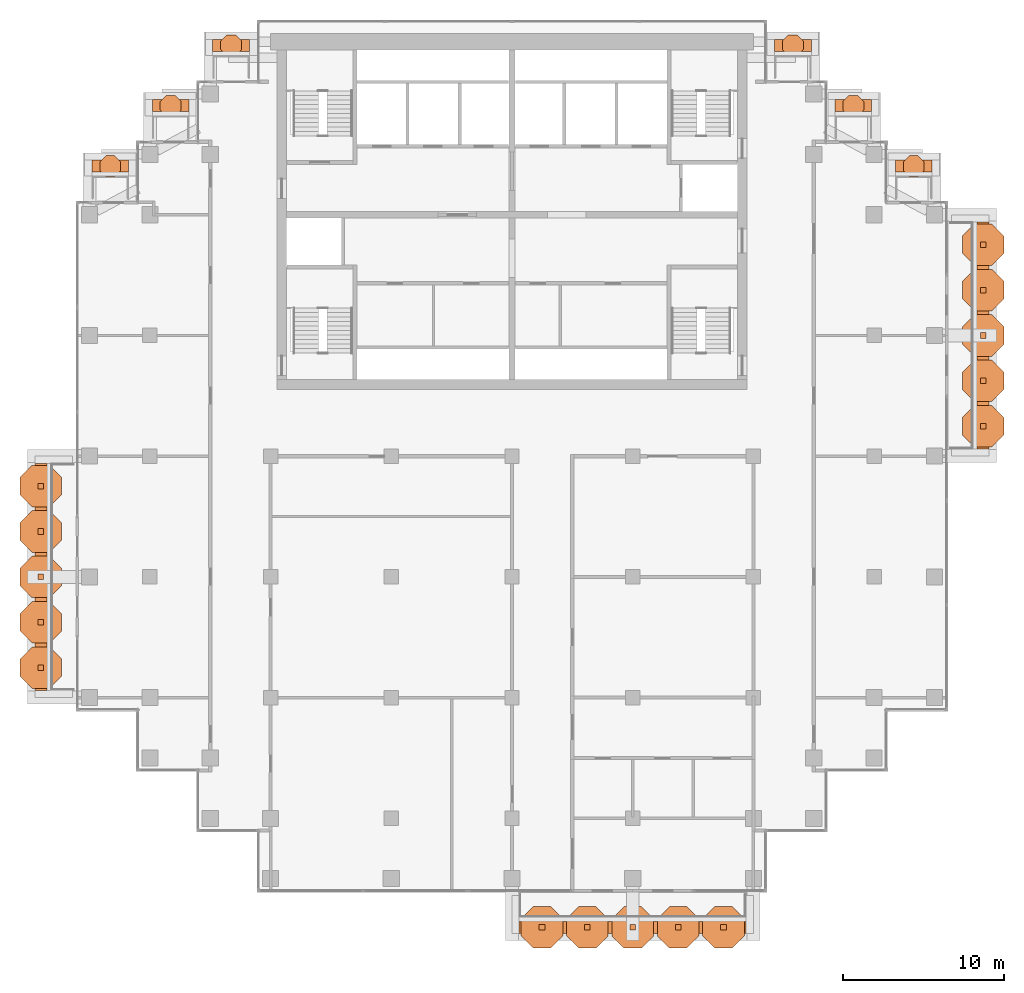
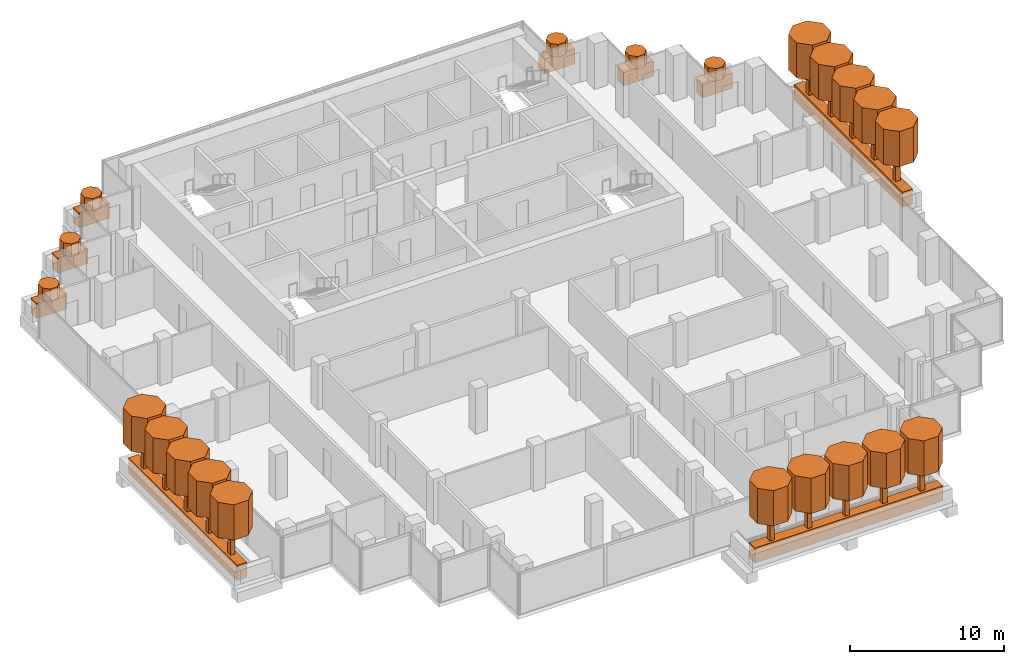
# One storey, part 18 of 18: 45 geographic elements.
"""IFC4 building model written with IfcOpenShell, lengths in metres."""

from ifc_helpers import new_model, si_unit, direction, frame, origin, origin_2d, place, context, subcontext, project, spatial, polyline, rectangle, outline, extrude, material, material_profile, profile_set, type_object, element, save


model = new_model("IFC4")

# Units and contexts
model_context = context("Model", 3, precision=1e-05, world=origin(), true_north=direction((0.0, 1.0)))
body_context = subcontext(model_context, "Body", "Model", "MODEL_VIEW")
ifc_project = project(units=[si_unit("LENGTHUNIT", "METRE"), si_unit("AREAUNIT", "SQUARE_METRE"), si_unit("VOLUMEUNIT", "CUBIC_METRE"), si_unit("PLANEANGLEUNIT", "RADIAN"), si_unit("MASSUNIT", "GRAM", prefix="KILO")], contexts=[model_context])

# Site, building, storey
site_placement = place(None, origin())
site = spatial("IfcSite", under=ifc_project, at=site_placement, CompositionType="ELEMENT")
building_placement = place(site_placement, origin())
building = spatial("IfcBuilding", under=site, at=building_placement, Name="Pilkhan Gate Tower", CompositionType="ELEMENT")
storey_placement = place(building_placement, frame((0.0, 0.0, 195.89990234375)))
storey = spatial("IfcBuildingStorey", under=building, at=storey_placement, Name="L50", CompositionType="ELEMENT", Elevation=195.89990234375)

# Geographic elements
ifc_material_1 = material(Name="Foliage")
ifc_material_profile_1 = material_profile(ifc_material_1, rectangle(XDim=0.75, YDim=1.199951171875, at=origin_2d()), Name="Bed 750x1200")
ifc_profile_set_1 = profile_set([ifc_material_profile_1], Name="Foliage")
geographic_element_type_1 = type_object("IfcGeographicElementType", Name="Planting bed PB1", PredefinedType="USERDEFINED", material=ifc_profile_set_1)
for number, where, z_axis, x_axis, name in (
    (1, (75.449951171875, 38.22509765625, 0.60009765625), (1.0, 0.0, 0.0), (0.0, 1.0, 0.0), "Balcony L50 S planting bed"),
    (2, (104.27490234375, 67.949951171875, 0.60009765625), (0.0, 1.0, 0.0), (-1.0, 0.0, 0.0), "Balcony L50 E planting bed"),
):
    element("IfcGeographicElement", number, at=place(storey_placement, frame(where, z_axis=z_axis, x_axis=x_axis)), inside=storey, type_object=geographic_element_type_1, Name=name, ObjectType="PLANTING BED", PredefinedType="USERDEFINED", context=body_context, shape_type="SweptSolid", body=[
        extrude(rectangle(XDim=0.75, YDim=1.199951171875, at=origin_2d()), origin(), (0.0, 0.0, 1.0), 14.10009765625),
    ])
for number, where, z_axis, x_axis, name in (
    (3, (56.39990234375, 93.02490234375, 0.60009765625), (1.0, 0.0, 0.0), (0.0, 1.0, 0.0), "Balcony L50 N planting bed"),
    (4, (91.300048828125, 93.02490234375, 0.60009765625), (1.0, 0.0, 0.0), (0.0, 1.0, 0.0), "Balcony L50 N planting bed"),
):
    element("IfcGeographicElement", number, at=place(storey_placement, frame(where, z_axis=z_axis, x_axis=x_axis)), inside=storey, type_object=geographic_element_type_1, Name=name, ObjectType="PLANTING BED", PredefinedType="USERDEFINED", context=body_context, shape_type="SweptSolid", body=[
        extrude(rectangle(XDim=0.75, YDim=1.199951171875, at=origin_2d()), origin(), (0.0, 0.0, 1.0), 2.300048828125),
    ])
for number, where, z_axis, x_axis, name in (
    (5, (52.64990234375, 89.27490234375, 0.60009765625), (1.0, 0.0, 0.0), (0.0, 1.0, 0.0), "Balcony L50 N planting bed"),
    (6, (48.89990234375, 85.52490234375, 0.60009765625), (1.0, 0.0, 0.0), (0.0, 1.0, 0.0), "Balcony L50 N planting bed"),
    (7, (95.070068359375, 89.27490234375, 0.60009765625), (1.0, 0.0, 0.0), (0.0, 1.0, 0.0), "Balcony L50 N planting bed"),
    (8, (98.820068359375, 85.52490234375, 0.60009765625), (1.0, 0.0, 0.0), (0.0, 1.0, 0.0), "Balcony L50 N planting bed"),
):
    element("IfcGeographicElement", number, at=place(storey_placement, frame(where, z_axis=z_axis, x_axis=x_axis)), inside=storey, type_object=geographic_element_type_1, Name=name, ObjectType="PLANTING BED", PredefinedType="USERDEFINED", context=body_context, shape_type="SweptSolid", body=[
        extrude(rectangle(XDim=0.75, YDim=1.199951171875, at=origin_2d()), origin(), (0.0, 0.0, 1.0), 2.280029296875),
    ])
geographic_element_placement = place(storey_placement, frame((45.72509765625, 52.949951171875, 0.60009765625), z_axis=(0.0, 1.0, 0.0), x_axis=(-1.0, 0.0, 0.0)))
element("IfcGeographicElement", 9, at=geographic_element_placement, inside=storey, type_object=geographic_element_type_1, Name="Balcony L50 W planting bed", ObjectType="PLANTING BED", PredefinedType="USERDEFINED", context=body_context, shape_type="SweptSolid", body=[
    extrude(rectangle(XDim=0.75, YDim=1.199951171875, at=origin_2d()), origin(), (0.0, 0.0, 1.0), 14.10009765625),
])
ifc_material_profile_2 = material_profile(ifc_material_1, outline(polyline([(0.646728515625, 0.267822265625), (0.267822265625, 0.646728515625), (-0.267822265625, 0.646728515625), (-0.646728515625, 0.267822265625), (-0.646728515625, -0.267822265625), (-0.267822265625, -0.646728515625), (0.267822265625, -0.646728515625), (0.646728515625, -0.267822265625), (0.646728515625, 0.267822265625)])), Name="Shrub D1.4")
ifc_profile_set_2 = profile_set([ifc_material_profile_2], Name="Foliage")
geographic_element_type_2 = type_object("IfcGeographicElementType", Name="Shrub SH07", PredefinedType="USERDEFINED", material=ifc_profile_set_2)
for number, where, z_axis, x_axis, name in (
    (10, (57.550048828125, 93.02490234375, 1.2001953125), (0.0, 0.0, 1.0), (1.0, 0.0, 0.0), "Shrub L50 N 1"),
    (11, (92.449951171875, 93.02490234375, 1.2001953125), (0.0, 0.0, 1.0), (1.0, 0.0, 0.0), "Shrub L50 N 1"),
    (12, (53.7900390625, 89.27490234375, 1.2001953125), (0.0, 0.0, 1.0), (1.0, 0.0, 0.0), "Shrub L50 N 1"),
    (13, (50.0400390625, 85.52490234375, 1.2001953125), (0.0, 0.0, 1.0), (1.0, 0.0, 0.0), "Shrub L50 N 1"),
    (14, (96.2099609375, 89.27490234375, 1.2001953125), (0.0, 0.0, 1.0), (1.0, 0.0, 0.0), "Shrub L50 N 1"),
    (15, (99.9599609375, 85.52490234375, 1.2001953125), (0.0, 0.0, 1.0), (1.0, 0.0, 0.0), "Shrub L50 N 1"),
):
    element("IfcGeographicElement", number, at=place(storey_placement, frame(where, z_axis=z_axis, x_axis=x_axis)), inside=storey, type_object=geographic_element_type_2, Name=name, ObjectType="SHRUB", PredefinedType="USERDEFINED", context=body_context, shape_type="SweptSolid", body=[
        extrude(outline(polyline([(0.646728515625, 0.267822265625), (0.267822265625, 0.646728515625), (-0.267822265625, 0.646728515625), (-0.646728515625, 0.267822265625), (-0.646728515625, -0.267822265625), (-0.267822265625, -0.646728515625), (0.267822265625, -0.646728515625), (0.646728515625, -0.267822265625), (0.646728515625, 0.267822265625)])), origin(), (0.0, 0.0, 1.0), 1.0),
    ])
ifc_material_profile_3 = material_profile(ifc_material_1, outline(polyline([(1.29345703125, 0.535888671875), (0.535888671875, 1.29345703125), (-0.535888671875, 1.29345703125), (-1.29345703125, 0.535888671875), (-1.29345703125, -0.535888671875), (-0.535888671875, -1.29345703125), (0.535888671875, -1.29345703125), (1.29345703125, -0.535888671875), (1.29345703125, 0.535888671875)])), Name="Canopy D2.8")
ifc_profile_set_3 = profile_set([ifc_material_profile_3], Name="Foliage")
geographic_element_type_3 = type_object("IfcGeographicElementType", Name="Tree canopy TC14", PredefinedType="USERDEFINED", material=ifc_profile_set_3)
for number, where, z_axis, x_axis, name in (
    (16, (76.860107421875, 38.22509765625, 3.2001953125), (0.0, 0.0, 1.0), (1.0, 0.0, 0.0), "Tree L50 S 1 canopy"),
    (17, (79.679931640625, 38.22509765625, 3.2001953125), (0.0, 0.0, 1.0), (1.0, 0.0, 0.0), "Tree L50 S 2 canopy"),
    (18, (82.5, 38.22509765625, 3.2001953125), (0.0, 0.0, 1.0), (1.0, 0.0, 0.0), "Tree L50 S 3 canopy"),
    (19, (85.320068359375, 38.22509765625, 3.2001953125), (0.0, 0.0, 1.0), (1.0, 0.0, 0.0), "Tree L50 S 4 canopy"),
    (20, (88.139892578125, 38.22509765625, 3.2001953125), (0.0, 0.0, 1.0), (1.0, 0.0, 0.0), "Tree L50 S 5 canopy"),
    (21, (104.27490234375, 69.360107421875, 3.2001953125), (0.0, 0.0, 1.0), (1.0, 0.0, 0.0), "Tree L50 E 1 canopy"),
    (22, (104.27490234375, 72.179931640625, 3.2001953125), (0.0, 0.0, 1.0), (1.0, 0.0, 0.0), "Tree L50 E 2 canopy"),
    (23, (104.27490234375, 75.0, 3.2001953125), (0.0, 0.0, 1.0), (1.0, 0.0, 0.0), "Tree L50 E 3 canopy"),
    (24, (104.27490234375, 77.820068359375, 3.2001953125), (0.0, 0.0, 1.0), (1.0, 0.0, 0.0), "Tree L50 E 4 canopy"),
    (25, (104.27490234375, 80.639892578125, 3.2001953125), (0.0, 0.0, 1.0), (1.0, 0.0, 0.0), "Tree L50 E 5 canopy"),
    (26, (45.72509765625, 54.360107421875, 3.2001953125), (0.0, 0.0, 1.0), (1.0, 0.0, 0.0), "Tree L50 W 1 canopy"),
    (27, (45.72509765625, 57.179931640625, 3.2001953125), (0.0, 0.0, 1.0), (1.0, 0.0, 0.0), "Tree L50 W 2 canopy"),
    (28, (45.72509765625, 60.0, 3.2001953125), (0.0, 0.0, 1.0), (1.0, 0.0, 0.0), "Tree L50 W 3 canopy"),
    (29, (45.72509765625, 62.820068359375, 3.2001953125), (0.0, 0.0, 1.0), (1.0, 0.0, 0.0), "Tree L50 W 4 canopy"),
    (30, (45.72509765625, 65.639892578125, 3.2001953125), (0.0, 0.0, 1.0), (1.0, 0.0, 0.0), "Tree L50 W 5 canopy"),
):
    element("IfcGeographicElement", number, at=place(storey_placement, frame(where, z_axis=z_axis, x_axis=x_axis)), inside=storey, type_object=geographic_element_type_3, Name=name, ObjectType="TREE", PredefinedType="USERDEFINED", context=body_context, shape_type="SweptSolid", body=[
        extrude(outline(polyline([(1.29345703125, 0.535888671875), (0.535888671875, 1.29345703125), (-0.535888671875, 1.29345703125), (-1.29345703125, 0.535888671875), (-1.29345703125, -0.535888671875), (-0.535888671875, -1.29345703125), (0.535888671875, -1.29345703125), (1.29345703125, -0.535888671875), (1.29345703125, 0.535888671875)])), origin(), (0.0, 0.0, 1.0), 2.7998046875),
    ])
ifc_material_2 = material(Name="Timber trunk", Category="wood")
geographic_element_type_4 = type_object("IfcGeographicElementType", Name="Tree trunk TT1", PredefinedType="USERDEFINED", material=ifc_material_2)
for number, where, z_axis, x_axis, name in (
    (31, (76.860107421875, 38.22509765625, 1.2001953125), (0.0, 0.0, 1.0), (1.0, 0.0, 0.0), "Tree L50 S 1 trunk"),
    (32, (79.679931640625, 38.22509765625, 1.2001953125), (0.0, 0.0, 1.0), (1.0, 0.0, 0.0), "Tree L50 S 2 trunk"),
    (33, (82.5, 38.22509765625, 1.2001953125), (0.0, 0.0, 1.0), (1.0, 0.0, 0.0), "Tree L50 S 3 trunk"),
    (34, (85.320068359375, 38.22509765625, 1.2001953125), (0.0, 0.0, 1.0), (1.0, 0.0, 0.0), "Tree L50 S 4 trunk"),
    (35, (88.139892578125, 38.22509765625, 1.2001953125), (0.0, 0.0, 1.0), (1.0, 0.0, 0.0), "Tree L50 S 5 trunk"),
    (36, (104.27490234375, 69.360107421875, 1.2001953125), (0.0, 0.0, 1.0), (1.0, 0.0, 0.0), "Tree L50 E 1 trunk"),
    (37, (104.27490234375, 72.179931640625, 1.2001953125), (0.0, 0.0, 1.0), (1.0, 0.0, 0.0), "Tree L50 E 2 trunk"),
    (38, (104.27490234375, 75.0, 1.2001953125), (0.0, 0.0, 1.0), (1.0, 0.0, 0.0), "Tree L50 E 3 trunk"),
    (39, (104.27490234375, 77.820068359375, 1.2001953125), (0.0, 0.0, 1.0), (1.0, 0.0, 0.0), "Tree L50 E 4 trunk"),
    (40, (104.27490234375, 80.639892578125, 1.2001953125), (0.0, 0.0, 1.0), (1.0, 0.0, 0.0), "Tree L50 E 5 trunk"),
    (41, (45.72509765625, 54.360107421875, 1.2001953125), (0.0, 0.0, 1.0), (1.0, 0.0, 0.0), "Tree L50 W 1 trunk"),
    (42, (45.72509765625, 57.179931640625, 1.2001953125), (0.0, 0.0, 1.0), (1.0, 0.0, 0.0), "Tree L50 W 2 trunk"),
    (43, (45.72509765625, 60.0, 1.2001953125), (0.0, 0.0, 1.0), (1.0, 0.0, 0.0), "Tree L50 W 3 trunk"),
    (44, (45.72509765625, 62.820068359375, 1.2001953125), (0.0, 0.0, 1.0), (1.0, 0.0, 0.0), "Tree L50 W 4 trunk"),
    (45, (45.72509765625, 65.639892578125, 1.2001953125), (0.0, 0.0, 1.0), (1.0, 0.0, 0.0), "Tree L50 W 5 trunk"),
):
    element("IfcGeographicElement", number, at=place(storey_placement, frame(where, z_axis=z_axis, x_axis=x_axis)), inside=storey, type_object=geographic_element_type_4, Name=name, ObjectType="TREE", PredefinedType="USERDEFINED", context=body_context, shape_type="SweptSolid", body=[
        extrude(rectangle(XDim=0.35009765625, YDim=0.35009765625, at=origin_2d()), origin(), (0.0, 0.0, 1.0), 2.0),
    ])

save(model, "model.ifc")
